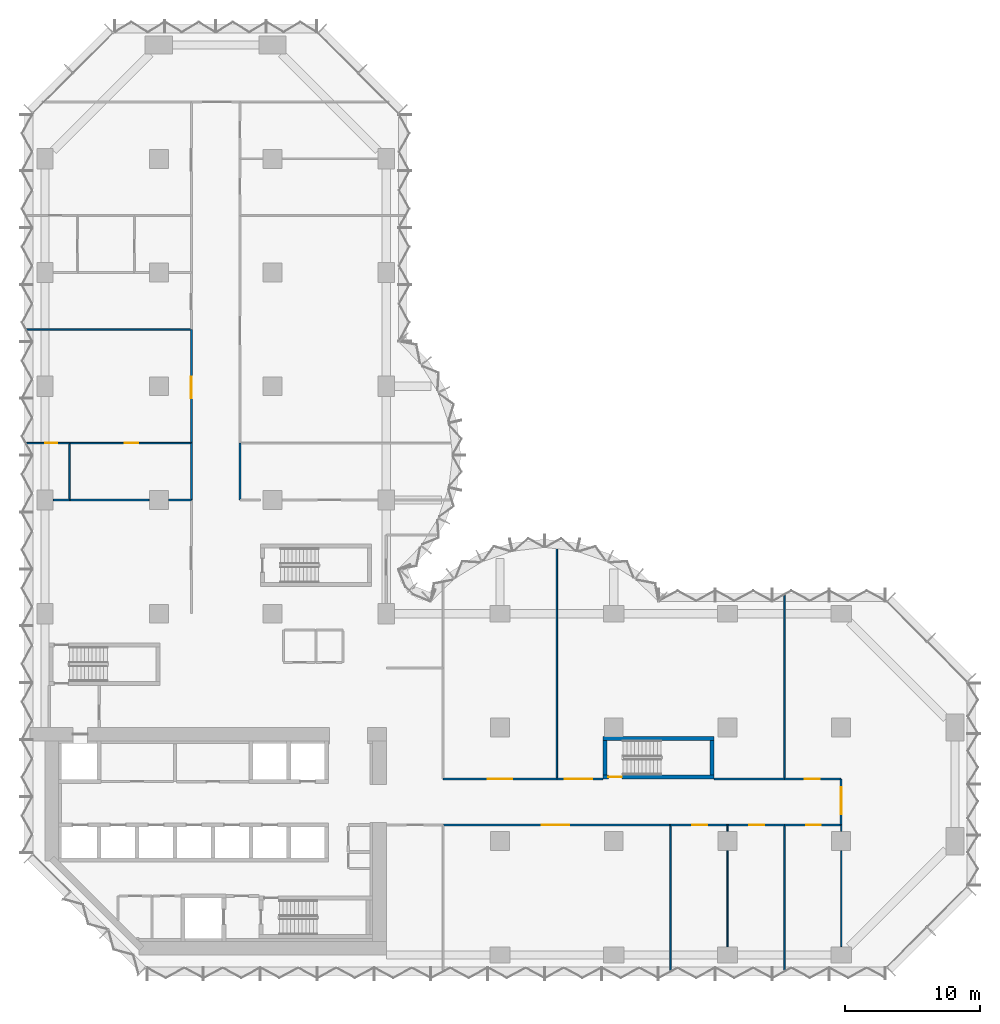
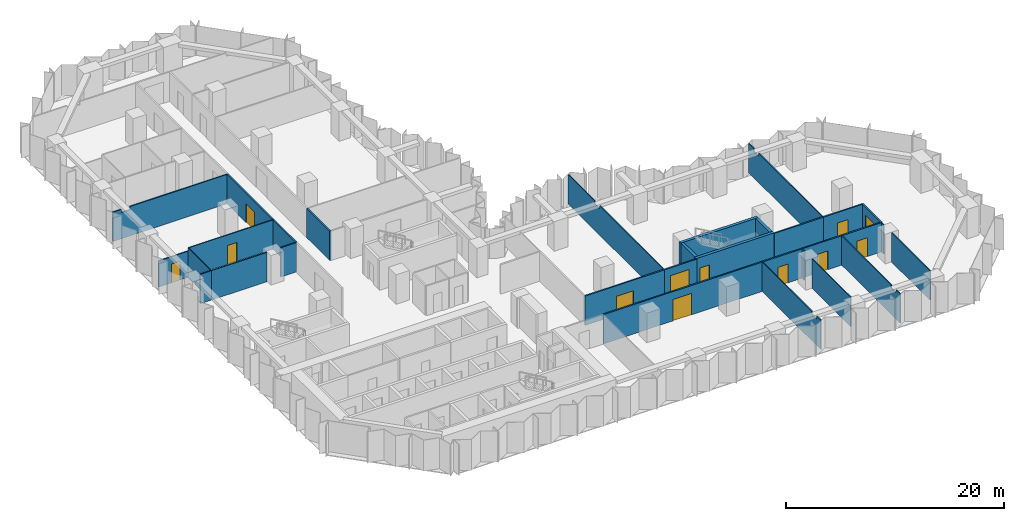
# One storey, part 10 of 15: 31 walls, 12 doors, 12 openings.
"""IFC4 building model written with IfcOpenShell, lengths in metres."""

from ifc_helpers import new_model, si_unit, direction, frame, frame_2d, origin, place, context, subcontext, project, spatial, polyline, rectangle, outline, extrude, material, layer, layer_set, type_object, element, fill, save


model = new_model("IFC4")

# Units and contexts
model_context = context("Model", 3, precision=1e-05, world=origin(), true_north=direction((0.0, 1.0)))
body_context = subcontext(model_context, "Body", "Model", "MODEL_VIEW")
ifc_project = project(units=[si_unit("LENGTHUNIT", "METRE"), si_unit("AREAUNIT", "SQUARE_METRE"), si_unit("VOLUMEUNIT", "CUBIC_METRE"), si_unit("PLANEANGLEUNIT", "RADIAN"), si_unit("MASSUNIT", "GRAM", prefix="KILO")], contexts=[model_context])

# Site, building, storey
site_placement = place(None, origin())
site = spatial("IfcSite", under=ifc_project, at=site_placement, CompositionType="ELEMENT")
building_placement = place(site_placement, origin())
building = spatial("IfcBuilding", under=site, at=building_placement, Name="Brevane Broadcast Tower", CompositionType="ELEMENT")
storey_placement = place(building_placement, frame((0.0, 0.0, 83.300048828125)))
storey = spatial("IfcBuildingStorey", under=building, at=storey_placement, Name="L19", CompositionType="ELEMENT", Elevation=83.300048828125)

# Wall, opening, door
ifc_material_1 = material(Name="Concrete C80/95", Category="concrete")
ifc_layer_1 = layer(ifc_material_1, 0.300048828125)
ifc_layer_set_1 = layer_set([ifc_layer_1], Name="Core wall 300 mm C80/95")
wall_type_1 = type_object("IfcWallType", Name="Core wall 300 mm C80/95", PredefinedType="SHEAR", material=ifc_layer_set_1)
wall_1_placement = place(storey_placement, frame((49.39990234375, 13.14990234375, 0.0), z_axis=(0.0, 0.0, 1.0), x_axis=(-1.0, 0.0, 0.0)))
wall_1 = element("IfcWall", 1, at=wall_1_placement, inside=storey, type_object=wall_type_1, Name="L19 stair wall ST-4-S", PredefinedType="SHEAR", context=body_context, shape_type="SweptSolid", body=[
    extrude(rectangle(XDim=8.199951171875, YDim=0.300048828125, at=frame_2d((4.10009765625, 0.0))), origin(), (0.0, 0.0, 1.0), 3.300048828125),
])
opening_1_placement = place(wall_1_placement, frame((6.800048828125, 0.0, 0.0)))
opening_1 = element("IfcOpeningElement", 2, at=opening_1_placement, cuts=wall_1, Name="Opening L19-K15", PredefinedType="OPENING", context=body_context, shape_type="SweptSolid", body=[
    extrude(rectangle(XDim=1.0, YDim=2.10009765625, at=frame_2d((0.5, 1.050048828125))), frame((0.0, 0.159912109375, 0.0), z_axis=(0.0, -1.0, 0.0), x_axis=(1.0, 0.0, 0.0)), (0.0, 0.0, 1.0), 0.320068359375),
])
ifc_material_2 = material(Name="Steel", Category="steel")
door_type_1 = type_object("IfcDoorType", Name="Stair door 1000 x 2100", OperationType="SINGLE_SWING_LEFT", PredefinedType="DOOR", material=ifc_material_2)
door_1_placement = place(opening_1_placement, origin())
door_1 = element("IfcDoor", 3, at=door_1_placement, inside=storey, type_object=door_type_1, Name="Door L19-K15", OperationType="SINGLE_SWING_LEFT", OverallHeight=2.10009765625, OverallWidth=1.0, PredefinedType="DOOR", context=body_context, shape_type="SweptSolid", body=[
    extrude(rectangle(XDim=1.0, YDim=2.10009765625, at=frame_2d((0.5, 1.050048828125))), frame((0.0, 0.02490234375, 0.0), z_axis=(0.0, -1.0, 0.0), x_axis=(1.0, 0.0, 0.0)), (0.0, 0.0, 1.0), 0.050048828125),
])
fill(opening_1, door_1)

# Walls
wall_2_placement = place(storey_placement, frame((41.199951171875, 16.0, 0.0), z_axis=(0.0, 0.0, 1.0), x_axis=(1.0, 0.0, 0.0)))
element("IfcWall", 4, at=wall_2_placement, inside=storey, type_object=wall_type_1, Name="L19 stair wall ST-4-N", PredefinedType="SHEAR", context=body_context, shape_type="SweptSolid", body=[
    extrude(rectangle(XDim=8.199951171875, YDim=0.300048828125, at=frame_2d((4.10009765625, 0.0))), origin(), (0.0, 0.0, 1.0), 3.300048828125),
])
for number, where, z_axis, x_axis, name in (
    (5, (41.35009765625, 13.300048828125, 0.0), (0.0, 0.0, 1.0), (0.0, 1.0, 0.0), "L19 stair wall ST-4-W"),
    (6, (49.25, 13.300048828125, 0.0), (0.0, 0.0, 1.0), (0.0, 1.0, 0.0), "L19 stair wall ST-4-E"),
):
    element("IfcWall", number, at=place(storey_placement, frame(where, z_axis=z_axis, x_axis=x_axis)), inside=storey, type_object=wall_type_1, Name=name, PredefinedType="SHEAR", context=body_context, shape_type="SweptSolid", body=[
        extrude(rectangle(XDim=2.550048828125, YDim=0.300048828125, at=frame_2d((1.27490234375, 0.0))), origin(), (0.0, 0.0, 1.0), 3.300048828125),
    ])
ifc_material_3 = material(Name="Gypsum board partition")
ifc_layer_2 = layer(ifc_material_3, 0.10009765625)
ifc_layer_set_2 = layer_set([ifc_layer_2], Name="PARTITION 100 STUD")
wall_type_2 = type_object("IfcWallType", Name="PARTITION 100 STUD", PredefinedType="PARTITIONING", material=ifc_layer_set_2)
wall_3_placement = place(storey_placement, frame((58.800048828125, 0.6201171875, 0.0), z_axis=(0.0, 0.0, 1.0), x_axis=(0.0, 1.0, 0.0)))
element("IfcWall", 7, at=wall_3_placement, inside=storey, type_object=wall_type_2, Name="Partition G05-016", PredefinedType="PARTITIONING", context=body_context, shape_type="SweptSolid", body=[
    extrude(rectangle(XDim=7.059814453125, YDim=0.10009765625, at=frame_2d((3.52978515625, 0.0))), origin(), (0.0, 0.0, 1.0), 3.280029296875),
])
wall_4_placement = place(storey_placement, frame((58.800048828125, 9.1201171875, 0.0), z_axis=(0.0, 0.0, 1.0), x_axis=(0.0, 1.0, 0.0)))
element("IfcWall", 8, at=wall_4_placement, inside=storey, type_object=wall_type_2, Name="Partition G05-017", PredefinedType="PARTITIONING", context=body_context, shape_type="SweptSolid", body=[
    extrude(rectangle(XDim=0.47998046875, YDim=0.10009765625, at=frame_2d((0.239990234375, 0.0))), origin(), (0.0, 0.0, 1.0), 3.280029296875),
])
wall_5_placement = place(storey_placement, frame((46.199951171875, 9.60009765625, 0.0), z_axis=(0.0, 0.0, 1.0), x_axis=(0.0, -1.0, 0.0)))
element("IfcWall", 9, at=wall_5_placement, inside=storey, type_object=wall_type_2, Name="Partition G05-019", PredefinedType="PARTITIONING", context=body_context, shape_type="SweptSolid", body=[
    extrude(outline(polyline([(0.0, 0.0), (10.774169921875, 0.0), (10.77392578125, 3.280029296875), (10.699951171875, 3.280029296875), (10.050048828125, 3.280029296875), (10.048095703125, 2.929931640625), (9.152099609375, 2.929931640625), (9.14990234375, 3.280029296875), (0.0, 3.280029296875), (0.0, 0.0)])), frame((0.0, 0.050048828125, 0.0), z_axis=(0.0, -1.0, 0.0), x_axis=(1.0, 0.0, 0.0)), (0.0, 0.0, 1.0), 0.10009765625),
])
wall_6_placement = place(storey_placement, frame((50.39990234375, 9.60009765625, 0.0), z_axis=(0.0, 0.0, 1.0), x_axis=(0.0, -1.0, 0.0)))
element("IfcWall", 10, at=wall_6_placement, inside=storey, type_object=wall_type_2, Name="Partition G05-020", PredefinedType="PARTITIONING", context=body_context, shape_type="SweptSolid", body=[
    extrude(rectangle(XDim=0.47998046875, YDim=0.10009765625, at=frame_2d((0.239990234375, 0.0))), origin(), (0.0, 0.0, 1.0), 3.280029296875),
])
wall_7_placement = place(storey_placement, frame((50.39990234375, 7.679931640625, 0.0), z_axis=(0.0, 0.0, 1.0), x_axis=(0.0, -1.0, 0.0)))
element("IfcWall", 11, at=wall_7_placement, inside=storey, type_object=wall_type_2, Name="Partition G05-021", PredefinedType="PARTITIONING", context=body_context, shape_type="SweptSolid", body=[
    extrude(rectangle(XDim=7.059814453125, YDim=0.10009765625, at=frame_2d((3.52978515625, 0.0))), origin(), (0.0, 0.0, 1.0), 3.280029296875),
])
wall_8_placement = place(storey_placement, frame((54.60009765625, 9.60009765625, 0.0), z_axis=(0.0, 0.0, 1.0), x_axis=(0.0, -1.0, 0.0)))
element("IfcWall", 12, at=wall_8_placement, inside=storey, type_object=wall_type_2, Name="Partition G05-022", PredefinedType="PARTITIONING", context=body_context, shape_type="SweptSolid", body=[
    extrude(outline(polyline([(0.0, 0.0), (10.774169921875, 0.0), (10.77392578125, 3.280029296875), (10.699951171875, 3.280029296875), (10.050048828125, 3.280029296875), (10.048095703125, 2.929931640625), (9.152099609375, 2.929931640625), (9.14990234375, 3.280029296875), (0.0, 3.280029296875), (0.0, 0.0)])), frame((0.0, 0.050048828125, 0.0), z_axis=(0.0, -1.0, 0.0), x_axis=(1.0, 0.0, 0.0)), (0.0, 0.0, 1.0), 0.10009765625),
])
wall_9_placement = place(storey_placement, frame((37.800048828125, 30.52587890625, 0.0), z_axis=(0.0, 0.0, 1.0), x_axis=(0.0, -1.0, 0.0)))
element("IfcWall", 13, at=wall_9_placement, inside=storey, type_object=wall_type_2, Name="Partition G05-023", PredefinedType="PARTITIONING", context=body_context, shape_type="SweptSolid", body=[
    extrude(outline(polyline([(0.0, 0.0), (17.52587890625, 0.0), (17.52587890625, 3.280029296875), (5.77587890625, 3.280029296875), (5.77392578125, 2.929931640625), (4.8779296875, 2.929931640625), (4.8759765625, 3.280029296875), (0.283203125, 3.280029296875), (0.0, 3.280029296875), (0.0, 0.0)])), frame((0.0, 0.050048828125, 0.0), z_axis=(0.0, -1.0, 0.0), x_axis=(1.0, 0.0, 0.0)), (0.0, 0.0, 1.0), 0.10009765625),
])
wall_10_placement = place(storey_placement, frame((54.60009765625, 26.56494140625, 0.0), z_axis=(0.0, 0.0, 1.0), x_axis=(0.0, -1.0, 0.0)))
element("IfcWall", 14, at=wall_10_placement, inside=storey, type_object=wall_type_2, Name="Partition G05-024", PredefinedType="PARTITIONING", context=body_context, shape_type="SweptSolid", body=[
    extrude(outline(polyline([(0.0, 0.0), (13.56494140625, 0.0), (13.56494140625, 3.280029296875), (1.81494140625, 3.280029296875), (1.81298828125, 2.929931640625), (0.9169921875, 2.929931640625), (0.9150390625, 3.280029296875), (0.264892578125, 3.280029296875), (0.0, 3.280029296875), (0.0, 0.0)])), frame((0.0, 0.050048828125, 0.0), z_axis=(0.0, -1.0, 0.0), x_axis=(1.0, 0.0, 0.0)), (0.0, 0.0, 1.0), 0.10009765625),
])

# Wall, opening, door
wall_11_placement = place(storey_placement, frame((1.800048828125, 37.800048828125, 0.0), z_axis=(0.0, 0.0, 1.0), x_axis=(-1.0, 0.0, 0.0)))
wall_11 = element("IfcWall", 15, at=wall_11_placement, inside=storey, type_object=wall_type_2, Name="Partition G05-044", PredefinedType="PARTITIONING", context=body_context, shape_type="SweptSolid", body=[
    extrude(rectangle(XDim=3.1650390625, YDim=0.10009765625, at=frame_2d((1.58251953125, 0.0))), origin(), (0.0, 0.0, 1.0), 2.929931640625),
])
opening_2_placement = place(wall_11_placement, frame((0.89990234375, 0.0, 0.0)))
opening_2 = element("IfcOpeningElement", 16, at=opening_2_placement, cuts=wall_11, Name="Opening D11-014", PredefinedType="OPENING", context=body_context, shape_type="SweptSolid", body=[
    extrude(rectangle(XDim=0.89990234375, YDim=2.10009765625, at=frame_2d((0.449951171875, 1.050048828125))), frame((0.0, 0.06005859375, 0.0), z_axis=(0.0, -1.0, 0.0), x_axis=(1.0, 0.0, 0.0)), (0.0, 0.0, 1.0), 0.1201171875),
])
ifc_material_4 = material(Name="Timber door leaf", Category="wood")
door_type_2 = type_object("IfcDoorType", Name="DOOR SINGLE 900 INTERNAL", OperationType="SINGLE_SWING_LEFT", PredefinedType="DOOR", material=ifc_material_4)
door_2_placement = place(opening_2_placement, origin())
door_2 = element("IfcDoor", 17, at=door_2_placement, inside=storey, type_object=door_type_2, Name="Door D11-014", OperationType="SINGLE_SWING_LEFT", OverallHeight=2.10009765625, OverallWidth=0.89990234375, PredefinedType="DOOR", context=body_context, shape_type="SweptSolid", body=[
    extrude(rectangle(XDim=0.89990234375, YDim=2.10009765625, at=frame_2d((0.449951171875, 1.050048828125))), frame((0.0, 0.02490234375, 0.0), z_axis=(0.0, -1.0, 0.0), x_axis=(1.0, 0.0, 0.0)), (0.0, 0.0, 1.0), 0.050048828125),
])
fill(opening_2, door_2)

wall_12_placement = place(storey_placement, frame((10.800048828125, 37.800048828125, 0.0), z_axis=(0.0, 0.0, 1.0), x_axis=(-1.0, 0.0, 0.0)))
wall_12 = element("IfcWall", 18, at=wall_12_placement, inside=storey, type_object=wall_type_2, Name="Partition G05-045", PredefinedType="PARTITIONING", context=body_context, shape_type="SweptSolid", body=[
    extrude(rectangle(XDim=9.0, YDim=0.10009765625, at=frame_2d((4.5, 0.0))), origin(), (0.0, 0.0, 1.0), 3.280029296875),
])
opening_3_placement = place(wall_12_placement, frame((3.89990234375, 0.0, 0.0)))
opening_3 = element("IfcOpeningElement", 19, at=opening_3_placement, cuts=wall_12, Name="Opening D11-015", PredefinedType="OPENING", context=body_context, shape_type="SweptSolid", body=[
    extrude(rectangle(XDim=1.0, YDim=2.10009765625, at=frame_2d((0.5, 1.050048828125))), frame((0.0, 0.06005859375, 0.0), z_axis=(0.0, -1.0, 0.0), x_axis=(1.0, 0.0, 0.0)), (0.0, 0.0, 1.0), 0.1201171875),
])
door_type_3 = type_object("IfcDoorType", Name="DOOR SINGLE 1000 INTERNAL", OperationType="SINGLE_SWING_LEFT", PredefinedType="DOOR", material=ifc_material_4)
door_3_placement = place(opening_3_placement, origin())
door_3 = element("IfcDoor", 20, at=door_3_placement, inside=storey, type_object=door_type_3, Name="Door D11-015", OperationType="SINGLE_SWING_LEFT", OverallHeight=2.10009765625, OverallWidth=1.0, PredefinedType="DOOR", context=body_context, shape_type="SweptSolid", body=[
    extrude(rectangle(XDim=1.0, YDim=2.10009765625, at=frame_2d((0.5, 1.050048828125))), frame((0.0, 0.02490234375, 0.0), z_axis=(0.0, -1.0, 0.0), x_axis=(1.0, 0.0, 0.0)), (0.0, 0.0, 1.0), 0.050048828125),
])
fill(opening_3, door_3)

# Walls
wall_13_placement = place(storey_placement, frame((1.800048828125, 37.800048828125, 0.0), z_axis=(0.0, 0.0, 1.0), x_axis=(0.0, -1.0, 0.0)))
element("IfcWall", 21, at=wall_13_placement, inside=storey, type_object=wall_type_2, Name="Partition G05-047", PredefinedType="PARTITIONING", context=body_context, shape_type="SweptSolid", body=[
    extrude(rectangle(XDim=4.199951171875, YDim=0.10009765625, at=frame_2d((2.10009765625, 0.0))), origin(), (0.0, 0.0, 1.0), 3.280029296875),
])
ifc_layer_3 = layer(ifc_material_3, 0.125)
ifc_layer_set_3 = layer_set([ifc_layer_3], Name="PARTITION 125 ACOUSTIC")
wall_type_3 = type_object("IfcWallType", Name="PARTITION 125 ACOUSTIC", PredefinedType="PARTITIONING", material=ifc_layer_set_3)
wall_14_placement = place(storey_placement, frame((0.6201171875, 33.60009765625, 0.0), z_axis=(0.0, 0.0, 1.0), x_axis=(1.0, 0.0, 0.0)))
element("IfcWall", 22, at=wall_14_placement, inside=storey, type_object=wall_type_3, Name="Partition G05-041", PredefinedType="PARTITIONING", context=body_context, shape_type="SweptSolid", body=[
    extrude(rectangle(XDim=1.179931640625, YDim=0.125, at=frame_2d((0.58984375, 0.0))), origin(), (0.0, 0.0, 1.0), 3.280029296875),
])
wall_15_placement = place(storey_placement, frame((1.800048828125, 33.60009765625, 0.0), z_axis=(0.0, 0.0, 1.0), x_axis=(1.0, 0.0, 0.0)))
element("IfcWall", 23, at=wall_15_placement, inside=storey, type_object=wall_type_3, Name="Partition G05-042", PredefinedType="PARTITIONING", context=body_context, shape_type="SweptSolid", body=[
    extrude(rectangle(XDim=5.8798828125, YDim=0.125, at=frame_2d((2.93994140625, 0.0))), origin(), (0.0, 0.0, 1.0), 3.280029296875),
])
wall_16_placement = place(storey_placement, frame((9.1201171875, 33.60009765625, 0.0), z_axis=(0.0, 0.0, 1.0), x_axis=(1.0, 0.0, 0.0)))
element("IfcWall", 24, at=wall_16_placement, inside=storey, type_object=wall_type_3, Name="Partition G05-043", PredefinedType="PARTITIONING", context=body_context, shape_type="SweptSolid", body=[
    extrude(rectangle(XDim=1.679931640625, YDim=0.125, at=frame_2d((0.83984375, 0.0))), origin(), (0.0, 0.0, 1.0), 3.280029296875),
])
wall_17_placement = place(storey_placement, frame((-1.364990234375, 46.199951171875, 0.0), z_axis=(0.0, 0.0, 1.0), x_axis=(1.0, 0.0, 0.0)))
element("IfcWall", 25, at=wall_17_placement, inside=storey, type_object=wall_type_3, Name="Partition G05-046", PredefinedType="PARTITIONING", context=body_context, shape_type="SweptSolid", body=[
    extrude(outline(polyline([(0.0, 0.0), (12.1650390625, 0.0), (12.1650390625, 3.280029296875), (1.81494140625, 3.280029296875), (1.81298828125, 2.929931640625), (0.9169921875, 2.929931640625), (0.9150390625, 3.280029296875), (0.264892578125, 3.280029296875), (0.0, 3.280029296875), (0.0, 0.0)])), frame((0.0, 0.0625, 0.0), z_axis=(0.0, -1.0, 0.0), x_axis=(1.0, 0.0, 0.0)), (0.0, 0.0, 1.0), 0.125),
])

# Wall, opening, door
ifc_layer_4 = layer(ifc_material_3, 0.14990234375)
ifc_layer_set_4 = layer_set([ifc_layer_4], Name="PARTITION 150 EI 60")
wall_type_4 = type_object("IfcWallType", Name="PARTITION 150 EI 60", PredefinedType="PARTITIONING", material=ifc_layer_set_4)
wall_18_placement = place(storey_placement, frame((58.800048828125, 13.0, 0.0), z_axis=(0.0, 0.0, 1.0), x_axis=(0.0, -1.0, 0.0)))
wall_18 = element("IfcWall", 26, at=wall_18_placement, inside=storey, type_object=wall_type_4, Name="Partition G05-007", PredefinedType="PARTITIONING", context=body_context, shape_type="SweptSolid", body=[
    extrude(rectangle(XDim=3.39990234375, YDim=0.14990234375, at=frame_2d((1.699951171875, 0.0))), origin(), (0.0, 0.0, 1.0), 3.280029296875),
])
opening_4_placement = place(wall_18_placement, frame((0.60009765625, 0.0, 0.0)))
opening_4 = element("IfcOpeningElement", 27, at=opening_4_placement, cuts=wall_18, Name="Opening D11-002", PredefinedType="OPENING", context=body_context, shape_type="SweptSolid", body=[
    extrude(rectangle(XDim=2.0, YDim=2.39990234375, at=frame_2d((1.0, 1.199951171875))), frame((0.0, 0.0849609375, 0.0), z_axis=(0.0, -1.0, 0.0), x_axis=(1.0, 0.0, 0.0)), (0.0, 0.0, 1.0), 0.169921875),
])
ifc_material_5 = material(Name="Fire-rated timber door leaf", Category="wood")
door_type_4 = type_object("IfcDoorType", Name="DOOR DOUBLE 2000 FD30S", OperationType="DOUBLE_DOOR_SINGLE_SWING", PredefinedType="DOOR", material=ifc_material_5)
door_4_placement = place(opening_4_placement, origin())
door_4 = element("IfcDoor", 28, at=door_4_placement, inside=storey, type_object=door_type_4, Name="Door D11-002", OperationType="DOUBLE_DOOR_SINGLE_SWING", OverallHeight=2.39990234375, OverallWidth=2.0, PredefinedType="DOOR", context=body_context, shape_type="SweptSolid", body=[
    extrude(rectangle(XDim=2.0, YDim=2.39990234375, at=frame_2d((1.0, 1.199951171875))), frame((0.0, 0.02490234375, 0.0), z_axis=(0.0, -1.0, 0.0), x_axis=(1.0, 0.0, 0.0)), (0.0, 0.0, 1.0), 0.050048828125),
])
fill(opening_4, door_4)

wall_19_placement = place(storey_placement, frame((46.199951171875, 9.60009765625, 0.0), z_axis=(0.0, 0.0, 1.0), x_axis=(-1.0, 0.0, 0.0)))
wall_19 = element("IfcWall", 29, at=wall_19_placement, inside=storey, type_object=wall_type_4, Name="Partition G05-008", PredefinedType="PARTITIONING", context=body_context, shape_type="SweptSolid", body=[
    extrude(rectangle(XDim=16.800048828125, YDim=0.14990234375, at=frame_2d((8.39990234375, 0.0))), origin(), (0.0, 0.0, 1.0), 3.280029296875),
])
opening_5_placement = place(wall_19_placement, frame((7.5, 0.0, 0.0)))
opening_5 = element("IfcOpeningElement", 30, at=opening_5_placement, cuts=wall_19, Name="Opening D11-004", PredefinedType="OPENING", context=body_context, shape_type="SweptSolid", body=[
    extrude(rectangle(XDim=2.0, YDim=2.39990234375, at=frame_2d((1.0, 1.199951171875))), frame((0.0, 0.0849609375, 0.0), z_axis=(0.0, -1.0, 0.0), x_axis=(1.0, 0.0, 0.0)), (0.0, 0.0, 1.0), 0.169921875),
])
door_5_placement = place(opening_5_placement, origin())
door_5 = element("IfcDoor", 31, at=door_5_placement, inside=storey, type_object=door_type_4, Name="Door D11-004", OperationType="DOUBLE_DOOR_SINGLE_SWING", OverallHeight=2.39990234375, OverallWidth=2.0, PredefinedType="DOOR", context=body_context, shape_type="SweptSolid", body=[
    extrude(rectangle(XDim=2.0, YDim=2.39990234375, at=frame_2d((1.0, 1.199951171875))), frame((0.0, 0.02490234375, 0.0), z_axis=(0.0, -1.0, 0.0), x_axis=(1.0, 0.0, 0.0)), (0.0, 0.0, 1.0), 0.050048828125),
])
fill(opening_5, door_5)

wall_20_placement = place(storey_placement, frame((50.39990234375, 9.60009765625, 0.0), z_axis=(0.0, 0.0, 1.0), x_axis=(-1.0, 0.0, 0.0)))
wall_20 = element("IfcWall", 32, at=wall_20_placement, inside=storey, type_object=wall_type_4, Name="Partition G05-009", PredefinedType="PARTITIONING", context=body_context, shape_type="SweptSolid", body=[
    extrude(rectangle(XDim=4.199951171875, YDim=0.14990234375, at=frame_2d((2.10009765625, 0.0))), origin(), (0.0, 0.0, 1.0), 3.280029296875),
])
opening_6_placement = place(wall_20_placement, frame((1.5, 0.0, 0.0)))
opening_6 = element("IfcOpeningElement", 33, at=opening_6_placement, cuts=wall_20, Name="Opening D11-005", PredefinedType="OPENING", context=body_context, shape_type="SweptSolid", body=[
    extrude(rectangle(XDim=1.10009765625, YDim=2.10009765625, at=frame_2d((0.550048828125, 1.050048828125))), frame((0.0, 0.0849609375, 0.0), z_axis=(0.0, -1.0, 0.0), x_axis=(1.0, 0.0, 0.0)), (0.0, 0.0, 1.0), 0.169921875),
])
door_type_5 = type_object("IfcDoorType", Name="DOOR SINGLE 1100 FD30S", OperationType="SINGLE_SWING_LEFT", PredefinedType="DOOR", material=ifc_material_5)
door_6_placement = place(opening_6_placement, origin())
door_6 = element("IfcDoor", 34, at=door_6_placement, inside=storey, type_object=door_type_5, Name="Door D11-005", OperationType="SINGLE_SWING_LEFT", OverallHeight=2.10009765625, OverallWidth=1.10009765625, PredefinedType="DOOR", context=body_context, shape_type="SweptSolid", body=[
    extrude(rectangle(XDim=1.10009765625, YDim=2.10009765625, at=frame_2d((0.550048828125, 1.050048828125))), frame((0.0, 0.02490234375, 0.0), z_axis=(0.0, -1.0, 0.0), x_axis=(1.0, 0.0, 0.0)), (0.0, 0.0, 1.0), 0.050048828125),
])
fill(opening_6, door_6)

wall_21_placement = place(storey_placement, frame((54.60009765625, 9.60009765625, 0.0), z_axis=(0.0, 0.0, 1.0), x_axis=(-1.0, 0.0, 0.0)))
wall_21 = element("IfcWall", 35, at=wall_21_placement, inside=storey, type_object=wall_type_4, Name="Partition G05-010", PredefinedType="PARTITIONING", context=body_context, shape_type="SweptSolid", body=[
    extrude(rectangle(XDim=4.2001953125, YDim=0.14990234375, at=frame_2d((2.10009765625, 0.0))), origin(), (0.0, 0.0, 1.0), 3.280029296875),
])
opening_7_placement = place(wall_21_placement, frame((1.5, 0.0, 0.0)))
opening_7 = element("IfcOpeningElement", 36, at=opening_7_placement, cuts=wall_21, Name="Opening D11-006", PredefinedType="OPENING", context=body_context, shape_type="SweptSolid", body=[
    extrude(rectangle(XDim=1.10009765625, YDim=2.10009765625, at=frame_2d((0.550048828125, 1.050048828125))), frame((0.0, 0.0849609375, 0.0), z_axis=(0.0, -1.0, 0.0), x_axis=(1.0, 0.0, 0.0)), (0.0, 0.0, 1.0), 0.169921875),
])
door_7_placement = place(opening_7_placement, origin())
door_7 = element("IfcDoor", 37, at=door_7_placement, inside=storey, type_object=door_type_5, Name="Door D11-006", OperationType="SINGLE_SWING_LEFT", OverallHeight=2.10009765625, OverallWidth=1.10009765625, PredefinedType="DOOR", context=body_context, shape_type="SweptSolid", body=[
    extrude(rectangle(XDim=1.10009765625, YDim=2.10009765625, at=frame_2d((0.550048828125, 1.050048828125))), frame((0.0, 0.02490234375, 0.0), z_axis=(0.0, -1.0, 0.0), x_axis=(1.0, 0.0, 0.0)), (0.0, 0.0, 1.0), 0.050048828125),
])
fill(opening_7, door_7)

wall_22_placement = place(storey_placement, frame((58.800048828125, 9.60009765625, 0.0), z_axis=(0.0, 0.0, 1.0), x_axis=(-1.0, 0.0, 0.0)))
wall_22 = element("IfcWall", 38, at=wall_22_placement, inside=storey, type_object=wall_type_4, Name="Partition G05-011", PredefinedType="PARTITIONING", context=body_context, shape_type="SweptSolid", body=[
    extrude(rectangle(XDim=4.199951171875, YDim=0.14990234375, at=frame_2d((2.10009765625, 0.0))), origin(), (0.0, 0.0, 1.0), 3.280029296875),
])
opening_8_placement = place(wall_22_placement, frame((1.5, 0.0, 0.0)))
opening_8 = element("IfcOpeningElement", 39, at=opening_8_placement, cuts=wall_22, Name="Opening D11-007", PredefinedType="OPENING", context=body_context, shape_type="SweptSolid", body=[
    extrude(rectangle(XDim=1.10009765625, YDim=2.10009765625, at=frame_2d((0.550048828125, 1.050048828125))), frame((0.0, 0.0849609375, 0.0), z_axis=(0.0, -1.0, 0.0), x_axis=(1.0, 0.0, 0.0)), (0.0, 0.0, 1.0), 0.169921875),
])
door_8_placement = place(opening_8_placement, origin())
door_8 = element("IfcDoor", 40, at=door_8_placement, inside=storey, type_object=door_type_5, Name="Door D11-007", OperationType="SINGLE_SWING_LEFT", OverallHeight=2.10009765625, OverallWidth=1.10009765625, PredefinedType="DOOR", context=body_context, shape_type="SweptSolid", body=[
    extrude(rectangle(XDim=1.10009765625, YDim=2.10009765625, at=frame_2d((0.550048828125, 1.050048828125))), frame((0.0, 0.02490234375, 0.0), z_axis=(0.0, -1.0, 0.0), x_axis=(1.0, 0.0, 0.0)), (0.0, 0.0, 1.0), 0.050048828125),
])
fill(opening_8, door_8)

wall_23_placement = place(storey_placement, frame((29.39990234375, 13.0, 0.0), z_axis=(0.0, 0.0, 1.0), x_axis=(1.0, 0.0, 0.0)))
wall_23 = element("IfcWall", 41, at=wall_23_placement, inside=storey, type_object=wall_type_4, Name="Partition G05-012", PredefinedType="PARTITIONING", context=body_context, shape_type="SweptSolid", body=[
    extrude(rectangle(XDim=8.400146484375, YDim=0.14990234375, at=frame_2d((4.2001953125, 0.0))), origin(), (0.0, 0.0, 1.0), 3.280029296875),
])
opening_9_placement = place(wall_23_placement, frame((3.300048828125, 0.0, 0.0)))
opening_9 = element("IfcOpeningElement", 42, at=opening_9_placement, cuts=wall_23, Name="Opening D11-008", PredefinedType="OPENING", context=body_context, shape_type="SweptSolid", body=[
    extrude(rectangle(XDim=1.800048828125, YDim=2.10009765625, at=frame_2d((0.89990234375, 1.050048828125))), frame((0.0, 0.0849609375, 0.0), z_axis=(0.0, -1.0, 0.0), x_axis=(1.0, 0.0, 0.0)), (0.0, 0.0, 1.0), 0.169921875),
])
door_type_6 = type_object("IfcDoorType", Name="DOOR DOUBLE 1800 FD30S", OperationType="DOUBLE_DOOR_SINGLE_SWING", PredefinedType="DOOR", material=ifc_material_5)
door_9_placement = place(opening_9_placement, origin())
door_9 = element("IfcDoor", 43, at=door_9_placement, inside=storey, type_object=door_type_6, Name="Door D11-008", OperationType="DOUBLE_DOOR_SINGLE_SWING", OverallHeight=2.10009765625, OverallWidth=1.800048828125, PredefinedType="DOOR", context=body_context, shape_type="SweptSolid", body=[
    extrude(rectangle(XDim=1.800048828125, YDim=2.10009765625, at=frame_2d((0.89990234375, 1.050048828125))), frame((0.0, 0.02490234375, 0.0), z_axis=(0.0, -1.0, 0.0), x_axis=(1.0, 0.0, 0.0)), (0.0, 0.0, 1.0), 0.050048828125),
])
fill(opening_9, door_9)

wall_24_placement = place(storey_placement, frame((37.800048828125, 13.0, 0.0), z_axis=(0.0, 0.0, 1.0), x_axis=(1.0, 0.0, 0.0)))
wall_24 = element("IfcWall", 44, at=wall_24_placement, inside=storey, type_object=wall_type_4, Name="Partition G05-013", PredefinedType="PARTITIONING", context=body_context, shape_type="SweptSolid", body=[
    extrude(rectangle(XDim=3.39990234375, YDim=0.14990234375, at=frame_2d((1.699951171875, 0.0))), origin(), (0.0, 0.0, 1.0), 3.280029296875),
])
opening_10_placement = place(wall_24_placement, frame((0.60009765625, 0.0, 0.0)))
opening_10 = element("IfcOpeningElement", 45, at=opening_10_placement, cuts=wall_24, Name="Opening D11-009", PredefinedType="OPENING", context=body_context, shape_type="SweptSolid", body=[
    extrude(rectangle(XDim=2.0, YDim=2.39990234375, at=frame_2d((1.0, 1.199951171875))), frame((0.0, 0.0849609375, 0.0), z_axis=(0.0, -1.0, 0.0), x_axis=(1.0, 0.0, 0.0)), (0.0, 0.0, 1.0), 0.169921875),
])
door_10_placement = place(opening_10_placement, origin())
door_10 = element("IfcDoor", 46, at=door_10_placement, inside=storey, type_object=door_type_4, Name="Door D11-009", OperationType="DOUBLE_DOOR_SINGLE_SWING", OverallHeight=2.39990234375, OverallWidth=2.0, PredefinedType="DOOR", context=body_context, shape_type="SweptSolid", body=[
    extrude(rectangle(XDim=2.0, YDim=2.39990234375, at=frame_2d((1.0, 1.199951171875))), frame((0.0, 0.02490234375, 0.0), z_axis=(0.0, -1.0, 0.0), x_axis=(1.0, 0.0, 0.0)), (0.0, 0.0, 1.0), 0.050048828125),
])
fill(opening_10, door_10)

# Wall
wall_25_placement = place(storey_placement, frame((49.39990234375, 13.0, 0.0), z_axis=(0.0, 0.0, 1.0), x_axis=(1.0, 0.0, 0.0)))
element("IfcWall", 47, at=wall_25_placement, inside=storey, type_object=wall_type_4, Name="Partition G05-014", PredefinedType="PARTITIONING", context=body_context, shape_type="SweptSolid", body=[
    extrude(rectangle(XDim=5.2001953125, YDim=0.14990234375, at=frame_2d((2.60009765625, 0.0))), origin(), (0.0, 0.0, 1.0), 3.280029296875),
])

# Wall, opening, door
wall_26_placement = place(storey_placement, frame((54.60009765625, 13.0, 0.0), z_axis=(0.0, 0.0, 1.0), x_axis=(1.0, 0.0, 0.0)))
wall_26 = element("IfcWall", 48, at=wall_26_placement, inside=storey, type_object=wall_type_4, Name="Partition G05-015", PredefinedType="PARTITIONING", context=body_context, shape_type="SweptSolid", body=[
    extrude(rectangle(XDim=4.199951171875, YDim=0.14990234375, at=frame_2d((2.10009765625, 0.0))), origin(), (0.0, 0.0, 1.0), 3.280029296875),
])
opening_11_placement = place(wall_26_placement, frame((1.5, 0.0, 0.0)))
opening_11 = element("IfcOpeningElement", 49, at=opening_11_placement, cuts=wall_26, Name="Opening D11-010", PredefinedType="OPENING", context=body_context, shape_type="SweptSolid", body=[
    extrude(rectangle(XDim=1.10009765625, YDim=2.10009765625, at=frame_2d((0.550048828125, 1.050048828125))), frame((0.0, 0.0849609375, 0.0), z_axis=(0.0, -1.0, 0.0), x_axis=(1.0, 0.0, 0.0)), (0.0, 0.0, 1.0), 0.169921875),
])
door_11_placement = place(opening_11_placement, origin())
door_11 = element("IfcDoor", 50, at=door_11_placement, inside=storey, type_object=door_type_5, Name="Door D11-010", OperationType="SINGLE_SWING_LEFT", OverallHeight=2.10009765625, OverallWidth=1.10009765625, PredefinedType="DOOR", context=body_context, shape_type="SweptSolid", body=[
    extrude(rectangle(XDim=1.10009765625, YDim=2.10009765625, at=frame_2d((0.550048828125, 1.050048828125))), frame((0.0, 0.02490234375, 0.0), z_axis=(0.0, -1.0, 0.0), x_axis=(1.0, 0.0, 0.0)), (0.0, 0.0, 1.0), 0.050048828125),
])
fill(opening_11, door_11)

wall_27_placement = place(storey_placement, frame((10.800048828125, 37.800048828125, 0.0), z_axis=(0.0, 0.0, 1.0), x_axis=(0.0, 1.0, 0.0)))
wall_27 = element("IfcWall", 51, at=wall_27_placement, inside=storey, type_object=wall_type_4, Name="Partition G05-030", PredefinedType="PARTITIONING", context=body_context, shape_type="SweptSolid", body=[
    extrude(rectangle(XDim=8.39990234375, YDim=0.14990234375, at=frame_2d((4.199951171875, 0.0))), origin(), (0.0, 0.0, 1.0), 3.280029296875),
])
opening_12_placement = place(wall_27_placement, frame((3.300048828125, 0.0, 0.0)))
opening_12 = element("IfcOpeningElement", 52, at=opening_12_placement, cuts=wall_27, Name="Opening D11-013", PredefinedType="OPENING", context=body_context, shape_type="SweptSolid", body=[
    extrude(rectangle(XDim=1.60009765625, YDim=2.10009765625, at=frame_2d((0.800048828125, 1.050048828125))), frame((0.0, 0.0849609375, 0.0), z_axis=(0.0, -1.0, 0.0), x_axis=(1.0, 0.0, 0.0)), (0.0, 0.0, 1.0), 0.169921875),
])
door_type_7 = type_object("IfcDoorType", Name="DOOR DOUBLE 1600 FD30S", OperationType="DOUBLE_DOOR_SINGLE_SWING", PredefinedType="DOOR", material=ifc_material_5)
door_12_placement = place(opening_12_placement, origin())
door_12 = element("IfcDoor", 53, at=door_12_placement, inside=storey, type_object=door_type_7, Name="Door D11-013", OperationType="DOUBLE_DOOR_SINGLE_SWING", OverallHeight=2.10009765625, OverallWidth=1.60009765625, PredefinedType="DOOR", context=body_context, shape_type="SweptSolid", body=[
    extrude(rectangle(XDim=1.60009765625, YDim=2.10009765625, at=frame_2d((0.800048828125, 1.050048828125))), frame((0.0, 0.02490234375, 0.0), z_axis=(0.0, -1.0, 0.0), x_axis=(1.0, 0.0, 0.0)), (0.0, 0.0, 1.0), 0.050048828125),
])
fill(opening_12, door_12)

# Walls
for number, where, z_axis, x_axis, name in (
    (54, (10.800048828125, 33.60009765625, 0.0), (0.0, 0.0, 1.0), (0.0, 1.0, 0.0), "Partition G05-031"),
    (55, (14.39990234375, 37.800048828125, 0.0), (0.0, 0.0, 1.0), (0.0, -1.0, 0.0), "Partition G05-035"),
):
    element("IfcWall", number, at=place(storey_placement, frame(where, z_axis=z_axis, x_axis=x_axis)), inside=storey, type_object=wall_type_4, Name=name, PredefinedType="PARTITIONING", context=body_context, shape_type="SweptSolid", body=[
        extrude(rectangle(XDim=4.199951171875, YDim=0.14990234375, at=frame_2d((2.10009765625, 0.0))), origin(), (0.0, 0.0, 1.0), 3.280029296875),
    ])

save(model, "model.ifc")
